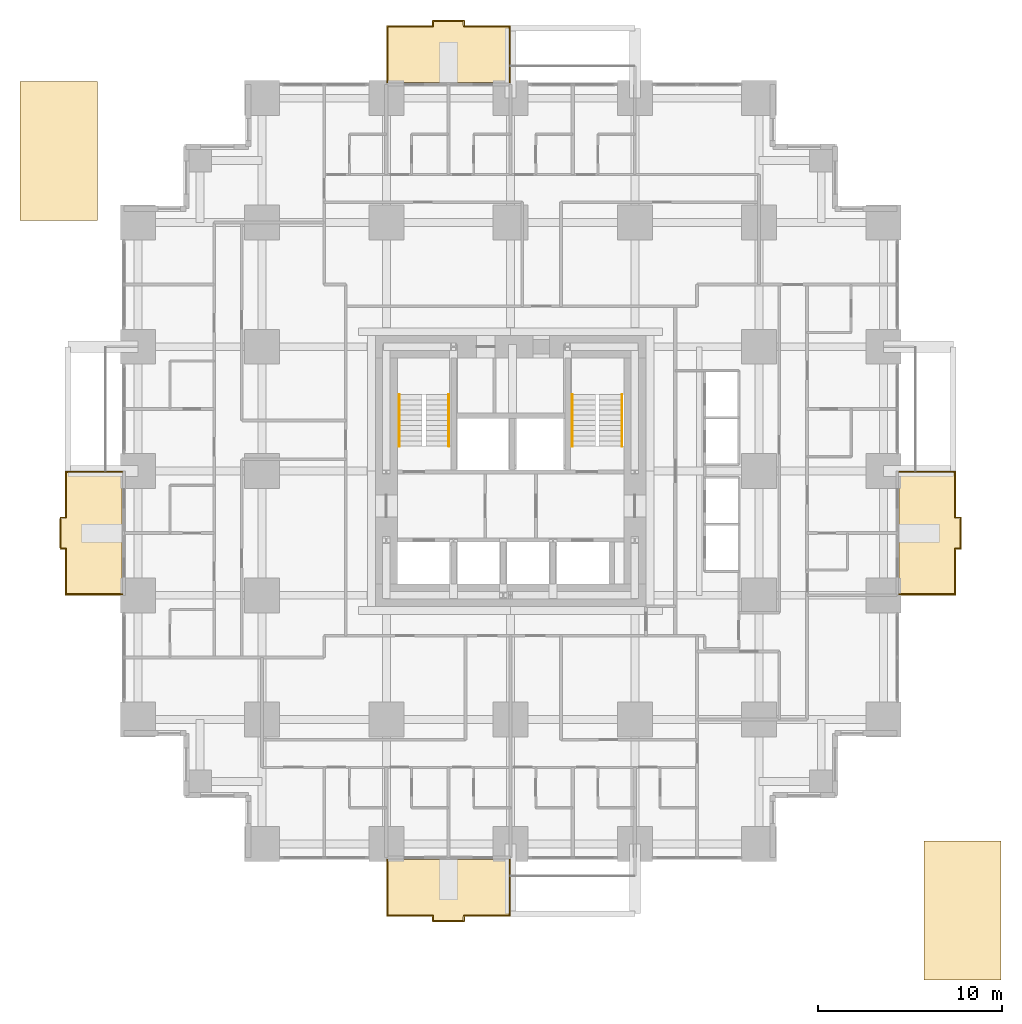
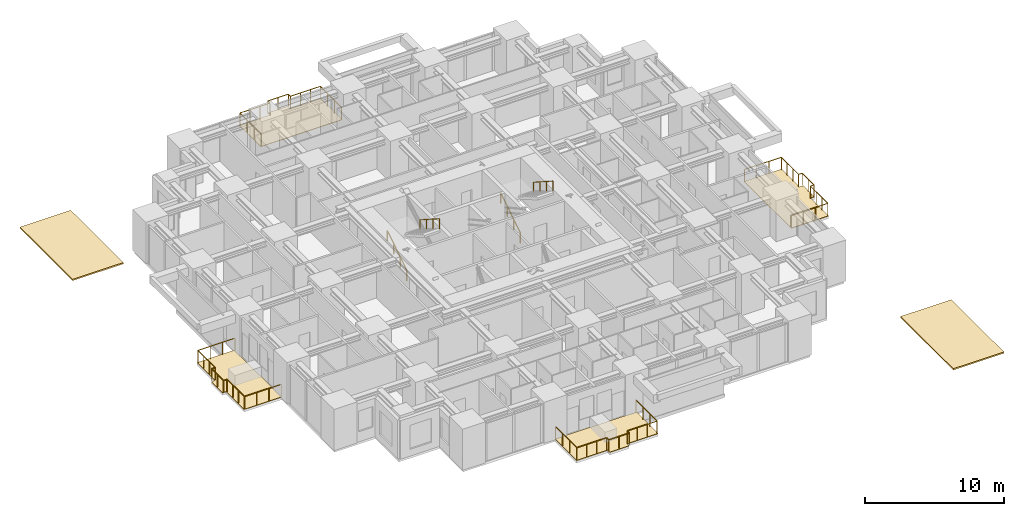
# One storey, part 14 of 14: 8 railings, 6 coverings.
"""IFC4 building model written with IfcOpenShell, lengths in metres."""

from ifc_helpers import new_model, si_unit, direction, frame, origin, origin_2d, place, context, subcontext, project, spatial, polyline, rectangle, outline, extrude, material, layer, layer_set, type_object, element, save


model = new_model("IFC4")

# Units and contexts
model_context = context("Model", 3, precision=1e-05, world=origin(), true_north=direction((0.0, 1.0)))
body_context = subcontext(model_context, "Body", "Model", "MODEL_VIEW")
ifc_project = project(units=[si_unit("LENGTHUNIT", "METRE"), si_unit("AREAUNIT", "SQUARE_METRE"), si_unit("VOLUMEUNIT", "CUBIC_METRE"), si_unit("PLANEANGLEUNIT", "RADIAN"), si_unit("MASSUNIT", "GRAM", prefix="KILO")], contexts=[model_context])

# Site, building, storey
site_placement = place(None, origin())
site = spatial("IfcSite", under=ifc_project, at=site_placement, CompositionType="ELEMENT")
building_placement = place(site_placement, origin())
building = spatial("IfcBuilding", under=site, at=building_placement, Name="Nyansa Garden Tower", CompositionType="ELEMENT")
storey_placement = place(building_placement, frame((0.0, 0.0, 18.0)))
storey = spatial("IfcBuildingStorey", under=building, at=storey_placement, Name="L04", CompositionType="ELEMENT", Elevation=18.0)

# Coverings
ifc_material_1 = material(Name="Hardwood decking on pedestals", Category="wood")
ifc_layer_1 = layer(ifc_material_1, 0.0400390625)
ifc_layer_set_1 = layer_set([ifc_layer_1], Name="Balcony decking DK40")
covering_type_1 = type_object("IfcCoveringType", Name="Balcony decking DK40", PredefinedType="FLOORING", material=ifc_layer_set_1)
covering_1_placement = place(storey_placement, frame((0.0, 0.0, -0.0400390625)))
element("IfcCovering", 1, at=covering_1_placement, inside=storey, type_object=covering_type_1, Name="Balcony decking L04", PredefinedType="FLOORING", context=body_context, shape_type="SweptSolid", body=[
    extrude(outline(polyline([(13.5, -0.85009765625), (20.25, -0.85009765625), (20.25, -3.949951171875), (17.675048828125, -3.949951171875), (17.675048828125, -4.25), (16.074951171875, -4.25), (16.074951171875, -3.949951171875), (13.5, -3.949951171875), (13.5, -0.85009765625)])), origin(), (0.0, 0.0, 1.0), 0.0400390625),
])
covering_2_placement = place(storey_placement, frame((0.0, 0.0, -0.0400390625)))
element("IfcCovering", 2, at=covering_2_placement, inside=storey, type_object=covering_type_1, Name="Balcony decking L04", PredefinedType="FLOORING", context=body_context, shape_type="SweptSolid", body=[
    extrude(outline(polyline([(41.35009765625, 13.5), (41.35009765625, 20.25), (44.449951171875, 20.25), (44.449951171875, 17.675048828125), (44.75, 17.675048828125), (44.75, 16.074951171875), (44.449951171875, 16.074951171875), (44.449951171875, 13.5), (41.35009765625, 13.5)])), origin(), (0.0, 0.0, 1.0), 0.0400390625),
])
covering_3_placement = place(storey_placement, frame((0.0, 0.0, -0.0400390625)))
element("IfcCovering", 3, at=covering_3_placement, inside=storey, type_object=covering_type_1, Name="Balcony decking L04", PredefinedType="FLOORING", context=body_context, shape_type="SweptSolid", body=[
    extrude(outline(polyline([(13.5, 41.35009765625), (20.25, 41.35009765625), (20.25, 44.449951171875), (17.675048828125, 44.449951171875), (17.675048828125, 44.75), (16.074951171875, 44.75), (16.074951171875, 44.449951171875), (13.5, 44.449951171875), (13.5, 41.35009765625)])), origin(), (0.0, 0.0, 1.0), 0.0400390625),
])
covering_4_placement = place(storey_placement, frame((0.0, 0.0, -0.0400390625)))
element("IfcCovering", 4, at=covering_4_placement, inside=storey, type_object=covering_type_1, Name="Balcony decking L04", PredefinedType="FLOORING", context=body_context, shape_type="SweptSolid", body=[
    extrude(outline(polyline([(-0.85009765625, 13.5), (-0.85009765625, 20.25), (-3.949951171875, 20.25), (-3.949951171875, 17.675048828125), (-4.25, 17.675048828125), (-4.25, 16.074951171875), (-3.949951171875, 16.074951171875), (-3.949951171875, 13.5), (-0.85009765625, 13.5)])), origin(), (0.0, 0.0, 1.0), 0.0400390625),
])

# Railings
ifc_material_2 = material(Name="Black powder-coated steel balusters, laminated glass infill", Category="steel")
railing_type_1 = type_object("IfcRailingType", Name="Balcony guard G1", PredefinedType="GUARDRAIL", material=ifc_material_2)
railing_1_placement = place(storey_placement, frame((13.550048828125, -0.85009765625, 0.0)))
element("IfcRailing", 5, at=railing_1_placement, inside=storey, type_object=railing_type_1, Name="Balcony guard L04", PredefinedType="GUARDRAIL", context=body_context, shape_type="SweptSolid", body=[
    extrude(rectangle(XDim=0.048095703125, YDim=0.048095703125, at=origin_2d()), frame((0.0, 0.0, 1.076171875), z_axis=(0.0, -1.0, 0.0), x_axis=(1.0, 0.0, 0.0)), (0.0, 0.0, 1.0), 3.0498046875),
    extrude(rectangle(XDim=0.048095703125, YDim=0.048095703125, at=origin_2d()), frame((0.0, -3.0498046875, 1.076171875), z_axis=(1.0, 0.0, 0.0), x_axis=(0.0, 1.0, 0.0)), (0.0, 0.0, 1.0), 2.474853515625),
    extrude(rectangle(XDim=0.048095703125, YDim=0.048095703125, at=origin_2d()), frame((2.474853515625, -3.0498046875, 1.076171875), z_axis=(0.0, -1.0, 0.0), x_axis=(1.0, 0.0, 0.0)), (0.0, 0.0, 1.0), 0.300048828125),
    extrude(rectangle(XDim=0.048095703125, YDim=0.048095703125, at=origin_2d()), frame((2.474853515625, -3.349853515625, 1.076171875), z_axis=(1.0, 0.0, 0.0), x_axis=(0.0, 1.0, 0.0)), (0.0, 0.0, 1.0), 1.7001953125),
    extrude(rectangle(XDim=0.048095703125, YDim=0.048095703125, at=origin_2d()), frame((4.175048828125, -3.349853515625, 1.076171875), z_axis=(0.0, 1.0, 0.0), x_axis=(-1.0, 0.0, 0.0)), (0.0, 0.0, 1.0), 0.300048828125),
    extrude(rectangle(XDim=0.048095703125, YDim=0.048095703125, at=origin_2d()), frame((4.175048828125, -3.0498046875, 1.076171875), z_axis=(1.0, 0.0, 0.0), x_axis=(0.0, 1.0, 0.0)), (0.0, 0.0, 1.0), 2.474853515625),
    extrude(rectangle(XDim=0.048095703125, YDim=0.048095703125, at=origin_2d()), frame((6.64990234375, -3.0498046875, 1.076171875), z_axis=(0.0, 1.0, 0.0), x_axis=(-1.0, 0.0, 0.0)), (0.0, 0.0, 1.0), 3.0498046875),
    extrude(rectangle(XDim=0.0419921875, YDim=0.0419921875, at=origin_2d()), origin(), (0.0, 0.0, 1.0), 1.052001953125),
    extrude(rectangle(XDim=0.0419921875, YDim=0.0419921875, at=origin_2d()), frame((0.0, -1.0166015625, 0.0)), (0.0, 0.0, 1.0), 1.052001953125),
    extrude(rectangle(XDim=0.0419921875, YDim=0.0419921875, at=origin_2d()), frame((0.0, -2.033203125, 0.0)), (0.0, 0.0, 1.0), 1.052001953125),
    extrude(rectangle(XDim=0.0419921875, YDim=0.0419921875, at=origin_2d()), frame((0.0, -3.0498046875, 0.0)), (0.0, 0.0, 1.0), 1.052001953125),
    extrude(rectangle(XDim=0.0419921875, YDim=0.0419921875, at=origin_2d()), frame((0.824951171875, -3.0498046875, 0.0)), (0.0, 0.0, 1.0), 1.052001953125),
    extrude(rectangle(XDim=0.0419921875, YDim=0.0419921875, at=origin_2d()), frame((1.64990234375, -3.0498046875, 0.0)), (0.0, 0.0, 1.0), 1.052001953125),
    extrude(rectangle(XDim=0.0419921875, YDim=0.0419921875, at=origin_2d()), frame((2.474853515625, -3.0498046875, 0.0)), (0.0, 0.0, 1.0), 1.052001953125),
    extrude(rectangle(XDim=0.0419921875, YDim=0.0419921875, at=origin_2d()), frame((2.474853515625, -3.349853515625, 0.0)), (0.0, 0.0, 1.0), 1.052001953125),
    extrude(rectangle(XDim=0.0419921875, YDim=0.0419921875, at=origin_2d()), frame((3.324951171875, -3.349853515625, 0.0)), (0.0, 0.0, 1.0), 1.052001953125),
    extrude(rectangle(XDim=0.0419921875, YDim=0.0419921875, at=origin_2d()), frame((4.175048828125, -3.349853515625, 0.0)), (0.0, 0.0, 1.0), 1.052001953125),
    extrude(rectangle(XDim=0.0419921875, YDim=0.0419921875, at=origin_2d()), frame((4.175048828125, -3.0498046875, 0.0)), (0.0, 0.0, 1.0), 1.052001953125),
    extrude(rectangle(XDim=0.0419921875, YDim=0.0419921875, at=origin_2d()), frame((5.0, -3.0498046875, 0.0)), (0.0, 0.0, 1.0), 1.052001953125),
    extrude(rectangle(XDim=0.0419921875, YDim=0.0419921875, at=origin_2d()), frame((5.824951171875, -3.0498046875, 0.0)), (0.0, 0.0, 1.0), 1.052001953125),
    extrude(rectangle(XDim=0.0419921875, YDim=0.0419921875, at=origin_2d()), frame((6.64990234375, -3.0498046875, 0.0)), (0.0, 0.0, 1.0), 1.052001953125),
    extrude(rectangle(XDim=0.0419921875, YDim=0.0419921875, at=origin_2d()), frame((6.64990234375, -2.033203125, 0.0)), (0.0, 0.0, 1.0), 1.052001953125),
    extrude(rectangle(XDim=0.0419921875, YDim=0.0419921875, at=origin_2d()), frame((6.64990234375, -1.0166015625, 0.0)), (0.0, 0.0, 1.0), 1.052001953125),
    extrude(rectangle(XDim=0.0419921875, YDim=0.0419921875, at=origin_2d()), frame((6.64990234375, 0.0, 0.0)), (0.0, 0.0, 1.0), 1.052001953125),
])
railing_2_placement = place(storey_placement, frame((41.35009765625, 13.550048828125, 0.0)))
element("IfcRailing", 6, at=railing_2_placement, inside=storey, type_object=railing_type_1, Name="Balcony guard L04", PredefinedType="GUARDRAIL", context=body_context, shape_type="SweptSolid", body=[
    extrude(rectangle(XDim=0.048095703125, YDim=0.048095703125, at=origin_2d()), frame((0.0, 0.0, 1.076171875), z_axis=(1.0, 0.0, 0.0), x_axis=(0.0, 1.0, 0.0)), (0.0, 0.0, 1.0), 3.0498046875),
    extrude(rectangle(XDim=0.048095703125, YDim=0.048095703125, at=origin_2d()), frame((3.0498046875, 0.0, 1.076171875), z_axis=(0.0, 1.0, 0.0), x_axis=(-1.0, 0.0, 0.0)), (0.0, 0.0, 1.0), 2.474853515625),
    extrude(rectangle(XDim=0.048095703125, YDim=0.048095703125, at=origin_2d()), frame((3.0498046875, 2.474853515625, 1.076171875), z_axis=(1.0, 0.0, 0.0), x_axis=(0.0, 1.0, 0.0)), (0.0, 0.0, 1.0), 0.300048828125),
    extrude(rectangle(XDim=0.048095703125, YDim=0.048095703125, at=origin_2d()), frame((3.349853515625, 2.474853515625, 1.076171875), z_axis=(0.0, 1.0, 0.0), x_axis=(-1.0, 0.0, 0.0)), (0.0, 0.0, 1.0), 1.7001953125),
    extrude(rectangle(XDim=0.048095703125, YDim=0.048095703125, at=origin_2d()), frame((3.349853515625, 4.175048828125, 1.076171875), z_axis=(-1.0, 0.0, 0.0), x_axis=(0.0, -1.0, 0.0)), (0.0, 0.0, 1.0), 0.300048828125),
    extrude(rectangle(XDim=0.048095703125, YDim=0.048095703125, at=origin_2d()), frame((3.0498046875, 4.175048828125, 1.076171875), z_axis=(0.0, 1.0, 0.0), x_axis=(-1.0, 0.0, 0.0)), (0.0, 0.0, 1.0), 2.474853515625),
    extrude(rectangle(XDim=0.048095703125, YDim=0.048095703125, at=origin_2d()), frame((3.0498046875, 6.64990234375, 1.076171875), z_axis=(-1.0, 0.0, 0.0), x_axis=(0.0, -1.0, 0.0)), (0.0, 0.0, 1.0), 3.0498046875),
    extrude(rectangle(XDim=0.0419921875, YDim=0.0419921875, at=origin_2d()), origin(), (0.0, 0.0, 1.0), 1.052001953125),
    extrude(rectangle(XDim=0.0419921875, YDim=0.0419921875, at=origin_2d()), frame((1.0166015625, 0.0, 0.0)), (0.0, 0.0, 1.0), 1.052001953125),
    extrude(rectangle(XDim=0.0419921875, YDim=0.0419921875, at=origin_2d()), frame((2.033203125, 0.0, 0.0)), (0.0, 0.0, 1.0), 1.052001953125),
    extrude(rectangle(XDim=0.0419921875, YDim=0.0419921875, at=origin_2d()), frame((3.0498046875, 0.0, 0.0)), (0.0, 0.0, 1.0), 1.052001953125),
    extrude(rectangle(XDim=0.0419921875, YDim=0.0419921875, at=origin_2d()), frame((3.0498046875, 0.824951171875, 0.0)), (0.0, 0.0, 1.0), 1.052001953125),
    extrude(rectangle(XDim=0.0419921875, YDim=0.0419921875, at=origin_2d()), frame((3.0498046875, 1.64990234375, 0.0)), (0.0, 0.0, 1.0), 1.052001953125),
    extrude(rectangle(XDim=0.0419921875, YDim=0.0419921875, at=origin_2d()), frame((3.0498046875, 2.474853515625, 0.0)), (0.0, 0.0, 1.0), 1.052001953125),
    extrude(rectangle(XDim=0.0419921875, YDim=0.0419921875, at=origin_2d()), frame((3.349853515625, 2.474853515625, 0.0)), (0.0, 0.0, 1.0), 1.052001953125),
    extrude(rectangle(XDim=0.0419921875, YDim=0.0419921875, at=origin_2d()), frame((3.349853515625, 3.324951171875, 0.0)), (0.0, 0.0, 1.0), 1.052001953125),
    extrude(rectangle(XDim=0.0419921875, YDim=0.0419921875, at=origin_2d()), frame((3.349853515625, 4.175048828125, 0.0)), (0.0, 0.0, 1.0), 1.052001953125),
    extrude(rectangle(XDim=0.0419921875, YDim=0.0419921875, at=origin_2d()), frame((3.0498046875, 4.175048828125, 0.0)), (0.0, 0.0, 1.0), 1.052001953125),
    extrude(rectangle(XDim=0.0419921875, YDim=0.0419921875, at=origin_2d()), frame((3.0498046875, 5.0, 0.0)), (0.0, 0.0, 1.0), 1.052001953125),
    extrude(rectangle(XDim=0.0419921875, YDim=0.0419921875, at=origin_2d()), frame((3.0498046875, 5.824951171875, 0.0)), (0.0, 0.0, 1.0), 1.052001953125),
    extrude(rectangle(XDim=0.0419921875, YDim=0.0419921875, at=origin_2d()), frame((3.0498046875, 6.64990234375, 0.0)), (0.0, 0.0, 1.0), 1.052001953125),
    extrude(rectangle(XDim=0.0419921875, YDim=0.0419921875, at=origin_2d()), frame((2.033203125, 6.64990234375, 0.0)), (0.0, 0.0, 1.0), 1.052001953125),
    extrude(rectangle(XDim=0.0419921875, YDim=0.0419921875, at=origin_2d()), frame((1.0166015625, 6.64990234375, 0.0)), (0.0, 0.0, 1.0), 1.052001953125),
    extrude(rectangle(XDim=0.0419921875, YDim=0.0419921875, at=origin_2d()), frame((0.0, 6.64990234375, 0.0)), (0.0, 0.0, 1.0), 1.052001953125),
])
railing_3_placement = place(storey_placement, frame((13.550048828125, 41.35009765625, 0.0)))
element("IfcRailing", 7, at=railing_3_placement, inside=storey, type_object=railing_type_1, Name="Balcony guard L04", PredefinedType="GUARDRAIL", context=body_context, shape_type="SweptSolid", body=[
    extrude(rectangle(XDim=0.048095703125, YDim=0.048095703125, at=origin_2d()), frame((0.0, 0.0, 1.076171875), z_axis=(0.0, 1.0, 0.0), x_axis=(-1.0, 0.0, 0.0)), (0.0, 0.0, 1.0), 3.0498046875),
    extrude(rectangle(XDim=0.048095703125, YDim=0.048095703125, at=origin_2d()), frame((0.0, 3.0498046875, 1.076171875), z_axis=(1.0, 0.0, 0.0), x_axis=(0.0, 1.0, 0.0)), (0.0, 0.0, 1.0), 2.474853515625),
    extrude(rectangle(XDim=0.048095703125, YDim=0.048095703125, at=origin_2d()), frame((2.474853515625, 3.0498046875, 1.076171875), z_axis=(0.0, 1.0, 0.0), x_axis=(-1.0, 0.0, 0.0)), (0.0, 0.0, 1.0), 0.300048828125),
    extrude(rectangle(XDim=0.048095703125, YDim=0.048095703125, at=origin_2d()), frame((2.474853515625, 3.349853515625, 1.076171875), z_axis=(1.0, 0.0, 0.0), x_axis=(0.0, 1.0, 0.0)), (0.0, 0.0, 1.0), 1.7001953125),
    extrude(rectangle(XDim=0.048095703125, YDim=0.048095703125, at=origin_2d()), frame((4.175048828125, 3.349853515625, 1.076171875), z_axis=(0.0, -1.0, 0.0), x_axis=(1.0, 0.0, 0.0)), (0.0, 0.0, 1.0), 0.300048828125),
    extrude(rectangle(XDim=0.048095703125, YDim=0.048095703125, at=origin_2d()), frame((4.175048828125, 3.0498046875, 1.076171875), z_axis=(1.0, 0.0, 0.0), x_axis=(0.0, 1.0, 0.0)), (0.0, 0.0, 1.0), 2.474853515625),
    extrude(rectangle(XDim=0.048095703125, YDim=0.048095703125, at=origin_2d()), frame((6.64990234375, 3.0498046875, 1.076171875), z_axis=(0.0, -1.0, 0.0), x_axis=(1.0, 0.0, 0.0)), (0.0, 0.0, 1.0), 3.0498046875),
    extrude(rectangle(XDim=0.0419921875, YDim=0.0419921875, at=origin_2d()), origin(), (0.0, 0.0, 1.0), 1.052001953125),
    extrude(rectangle(XDim=0.0419921875, YDim=0.0419921875, at=origin_2d()), frame((0.0, 1.0166015625, 0.0)), (0.0, 0.0, 1.0), 1.052001953125),
    extrude(rectangle(XDim=0.0419921875, YDim=0.0419921875, at=origin_2d()), frame((0.0, 2.033203125, 0.0)), (0.0, 0.0, 1.0), 1.052001953125),
    extrude(rectangle(XDim=0.0419921875, YDim=0.0419921875, at=origin_2d()), frame((0.0, 3.0498046875, 0.0)), (0.0, 0.0, 1.0), 1.052001953125),
    extrude(rectangle(XDim=0.0419921875, YDim=0.0419921875, at=origin_2d()), frame((0.824951171875, 3.0498046875, 0.0)), (0.0, 0.0, 1.0), 1.052001953125),
    extrude(rectangle(XDim=0.0419921875, YDim=0.0419921875, at=origin_2d()), frame((1.64990234375, 3.0498046875, 0.0)), (0.0, 0.0, 1.0), 1.052001953125),
    extrude(rectangle(XDim=0.0419921875, YDim=0.0419921875, at=origin_2d()), frame((2.474853515625, 3.0498046875, 0.0)), (0.0, 0.0, 1.0), 1.052001953125),
    extrude(rectangle(XDim=0.0419921875, YDim=0.0419921875, at=origin_2d()), frame((2.474853515625, 3.349853515625, 0.0)), (0.0, 0.0, 1.0), 1.052001953125),
    extrude(rectangle(XDim=0.0419921875, YDim=0.0419921875, at=origin_2d()), frame((3.324951171875, 3.349853515625, 0.0)), (0.0, 0.0, 1.0), 1.052001953125),
    extrude(rectangle(XDim=0.0419921875, YDim=0.0419921875, at=origin_2d()), frame((4.175048828125, 3.349853515625, 0.0)), (0.0, 0.0, 1.0), 1.052001953125),
    extrude(rectangle(XDim=0.0419921875, YDim=0.0419921875, at=origin_2d()), frame((4.175048828125, 3.0498046875, 0.0)), (0.0, 0.0, 1.0), 1.052001953125),
    extrude(rectangle(XDim=0.0419921875, YDim=0.0419921875, at=origin_2d()), frame((5.0, 3.0498046875, 0.0)), (0.0, 0.0, 1.0), 1.052001953125),
    extrude(rectangle(XDim=0.0419921875, YDim=0.0419921875, at=origin_2d()), frame((5.824951171875, 3.0498046875, 0.0)), (0.0, 0.0, 1.0), 1.052001953125),
    extrude(rectangle(XDim=0.0419921875, YDim=0.0419921875, at=origin_2d()), frame((6.64990234375, 3.0498046875, 0.0)), (0.0, 0.0, 1.0), 1.052001953125),
    extrude(rectangle(XDim=0.0419921875, YDim=0.0419921875, at=origin_2d()), frame((6.64990234375, 2.033203125, 0.0)), (0.0, 0.0, 1.0), 1.052001953125),
    extrude(rectangle(XDim=0.0419921875, YDim=0.0419921875, at=origin_2d()), frame((6.64990234375, 1.0166015625, 0.0)), (0.0, 0.0, 1.0), 1.052001953125),
    extrude(rectangle(XDim=0.0419921875, YDim=0.0419921875, at=origin_2d()), frame((6.64990234375, 0.0, 0.0)), (0.0, 0.0, 1.0), 1.052001953125),
])
railing_4_placement = place(storey_placement, frame((-0.85009765625, 13.550048828125, 0.0)))
element("IfcRailing", 8, at=railing_4_placement, inside=storey, type_object=railing_type_1, Name="Balcony guard L04", PredefinedType="GUARDRAIL", context=body_context, shape_type="SweptSolid", body=[
    extrude(rectangle(XDim=0.048095703125, YDim=0.048095703125, at=origin_2d()), frame((0.0, 0.0, 1.076171875), z_axis=(-1.0, 0.0, 0.0), x_axis=(0.0, -1.0, 0.0)), (0.0, 0.0, 1.0), 3.0498046875),
    extrude(rectangle(XDim=0.048095703125, YDim=0.048095703125, at=origin_2d()), frame((-3.0498046875, 0.0, 1.076171875), z_axis=(0.0, 1.0, 0.0), x_axis=(-1.0, 0.0, 0.0)), (0.0, 0.0, 1.0), 2.474853515625),
    extrude(rectangle(XDim=0.048095703125, YDim=0.048095703125, at=origin_2d()), frame((-3.0498046875, 2.474853515625, 1.076171875), z_axis=(-1.0, 0.0, 0.0), x_axis=(0.0, -1.0, 0.0)), (0.0, 0.0, 1.0), 0.300048828125),
    extrude(rectangle(XDim=0.048095703125, YDim=0.048095703125, at=origin_2d()), frame((-3.349853515625, 2.474853515625, 1.076171875), z_axis=(0.0, 1.0, 0.0), x_axis=(-1.0, 0.0, 0.0)), (0.0, 0.0, 1.0), 1.7001953125),
    extrude(rectangle(XDim=0.048095703125, YDim=0.048095703125, at=origin_2d()), frame((-3.349853515625, 4.175048828125, 1.076171875), z_axis=(1.0, 0.0, 0.0), x_axis=(0.0, 1.0, 0.0)), (0.0, 0.0, 1.0), 0.300048828125),
    extrude(rectangle(XDim=0.048095703125, YDim=0.048095703125, at=origin_2d()), frame((-3.0498046875, 4.175048828125, 1.076171875), z_axis=(0.0, 1.0, 0.0), x_axis=(-1.0, 0.0, 0.0)), (0.0, 0.0, 1.0), 2.474853515625),
    extrude(rectangle(XDim=0.048095703125, YDim=0.048095703125, at=origin_2d()), frame((-3.0498046875, 6.64990234375, 1.076171875), z_axis=(1.0, 0.0, 0.0), x_axis=(0.0, 1.0, 0.0)), (0.0, 0.0, 1.0), 3.0498046875),
    extrude(rectangle(XDim=0.0419921875, YDim=0.0419921875, at=origin_2d()), origin(), (0.0, 0.0, 1.0), 1.052001953125),
    extrude(rectangle(XDim=0.0419921875, YDim=0.0419921875, at=origin_2d()), frame((-1.0166015625, 0.0, 0.0)), (0.0, 0.0, 1.0), 1.052001953125),
    extrude(rectangle(XDim=0.0419921875, YDim=0.0419921875, at=origin_2d()), frame((-2.033203125, 0.0, 0.0)), (0.0, 0.0, 1.0), 1.052001953125),
    extrude(rectangle(XDim=0.0419921875, YDim=0.0419921875, at=origin_2d()), frame((-3.0498046875, 0.0, 0.0)), (0.0, 0.0, 1.0), 1.052001953125),
    extrude(rectangle(XDim=0.0419921875, YDim=0.0419921875, at=origin_2d()), frame((-3.0498046875, 0.824951171875, 0.0)), (0.0, 0.0, 1.0), 1.052001953125),
    extrude(rectangle(XDim=0.0419921875, YDim=0.0419921875, at=origin_2d()), frame((-3.0498046875, 1.64990234375, 0.0)), (0.0, 0.0, 1.0), 1.052001953125),
    extrude(rectangle(XDim=0.0419921875, YDim=0.0419921875, at=origin_2d()), frame((-3.0498046875, 2.474853515625, 0.0)), (0.0, 0.0, 1.0), 1.052001953125),
    extrude(rectangle(XDim=0.0419921875, YDim=0.0419921875, at=origin_2d()), frame((-3.349853515625, 2.474853515625, 0.0)), (0.0, 0.0, 1.0), 1.052001953125),
    extrude(rectangle(XDim=0.0419921875, YDim=0.0419921875, at=origin_2d()), frame((-3.349853515625, 3.324951171875, 0.0)), (0.0, 0.0, 1.0), 1.052001953125),
    extrude(rectangle(XDim=0.0419921875, YDim=0.0419921875, at=origin_2d()), frame((-3.349853515625, 4.175048828125, 0.0)), (0.0, 0.0, 1.0), 1.052001953125),
    extrude(rectangle(XDim=0.0419921875, YDim=0.0419921875, at=origin_2d()), frame((-3.0498046875, 4.175048828125, 0.0)), (0.0, 0.0, 1.0), 1.052001953125),
    extrude(rectangle(XDim=0.0419921875, YDim=0.0419921875, at=origin_2d()), frame((-3.0498046875, 5.0, 0.0)), (0.0, 0.0, 1.0), 1.052001953125),
    extrude(rectangle(XDim=0.0419921875, YDim=0.0419921875, at=origin_2d()), frame((-3.0498046875, 5.824951171875, 0.0)), (0.0, 0.0, 1.0), 1.052001953125),
    extrude(rectangle(XDim=0.0419921875, YDim=0.0419921875, at=origin_2d()), frame((-3.0498046875, 6.64990234375, 0.0)), (0.0, 0.0, 1.0), 1.052001953125),
    extrude(rectangle(XDim=0.0419921875, YDim=0.0419921875, at=origin_2d()), frame((-2.033203125, 6.64990234375, 0.0)), (0.0, 0.0, 1.0), 1.052001953125),
    extrude(rectangle(XDim=0.0419921875, YDim=0.0419921875, at=origin_2d()), frame((-1.0166015625, 6.64990234375, 0.0)), (0.0, 0.0, 1.0), 1.052001953125),
    extrude(rectangle(XDim=0.0419921875, YDim=0.0419921875, at=origin_2d()), frame((0.0, 6.64990234375, 0.0)), (0.0, 0.0, 1.0), 1.052001953125),
])
ifc_material_3 = material(Name="Black powder-coated steel tube 48 mm", Category="steel")
railing_type_2 = type_object("IfcRailingType", Name="Stair handrail HR1", PredefinedType="HANDRAIL", material=ifc_material_3)
railing_5_placement = place(storey_placement, frame((14.199951171875, 21.60009765625, 0.0)))
element("IfcRailing", 9, at=railing_5_placement, inside=storey, type_object=railing_type_2, Name="Stair S1 handrail L04", PredefinedType="HANDRAIL", context=body_context, shape_type="SweptSolid", body=[
    extrude(rectangle(XDim=0.048095703125, YDim=0.048095703125, at=origin_2d()), frame((0.0, 0.0, 0.8759765625), z_axis=(0.0, 0.841154643086, 0.54079466197), x_axis=(-1.0, 0.0, 0.0)), (0.0, 0.0, 1.0), 3.32861328125),
    extrude(rectangle(XDim=0.0419921875, YDim=0.0419921875, at=origin_2d()), origin(), (0.0, 0.0, 1.0), 0.851806640625),
    extrude(rectangle(XDim=0.0419921875, YDim=0.0419921875, at=origin_2d()), frame((0.0, 0.933349609375, 0.60009765625)), (0.0, 0.0, 1.0), 0.851806640625),
    extrude(rectangle(XDim=0.0419921875, YDim=0.0419921875, at=origin_2d()), frame((0.0, 1.866455078125, 1.199951171875)), (0.0, 0.0, 1.0), 0.851806640625),
    extrude(rectangle(XDim=0.0419921875, YDim=0.0419921875, at=origin_2d()), frame((0.0, 2.7998046875, 1.800048828125)), (0.0, 0.0, 1.0), 0.851806640625),
])
railing_6_placement = place(storey_placement, frame((16.89990234375, 24.39990234375, 1.800048828125)))
element("IfcRailing", 10, at=railing_6_placement, inside=storey, type_object=railing_type_2, Name="Stair S1 handrail L04", PredefinedType="HANDRAIL", context=body_context, shape_type="SweptSolid", body=[
    extrude(rectangle(XDim=0.048095703125, YDim=0.048095703125, at=origin_2d()), frame((0.0, 0.0, 0.8759765625), z_axis=(0.0, -0.841154643086, 0.54079466197), x_axis=(1.0, 0.0, 0.0)), (0.0, 0.0, 1.0), 3.32861328125),
    extrude(rectangle(XDim=0.0419921875, YDim=0.0419921875, at=origin_2d()), origin(), (0.0, 0.0, 1.0), 0.851806640625),
    extrude(rectangle(XDim=0.0419921875, YDim=0.0419921875, at=origin_2d()), frame((0.0, -0.933349609375, 0.60009765625)), (0.0, 0.0, 1.0), 0.851806640625),
    extrude(rectangle(XDim=0.0419921875, YDim=0.0419921875, at=origin_2d()), frame((0.0, -1.866455078125, 1.199951171875)), (0.0, 0.0, 1.0), 0.851806640625),
    extrude(rectangle(XDim=0.0419921875, YDim=0.0419921875, at=origin_2d()), frame((0.0, -2.7998046875, 1.800048828125)), (0.0, 0.0, 1.0), 0.851806640625),
])
railing_7_placement = place(storey_placement, frame((23.60009765625, 21.60009765625, 0.0)))
element("IfcRailing", 11, at=railing_7_placement, inside=storey, type_object=railing_type_2, Name="Stair S2 handrail L04", PredefinedType="HANDRAIL", context=body_context, shape_type="SweptSolid", body=[
    extrude(rectangle(XDim=0.048095703125, YDim=0.048095703125, at=origin_2d()), frame((0.0, 0.0, 0.8759765625), z_axis=(0.0, 0.841154643086, 0.54079466197), x_axis=(-1.0, 0.0, 0.0)), (0.0, 0.0, 1.0), 3.32861328125),
    extrude(rectangle(XDim=0.0419921875, YDim=0.0419921875, at=origin_2d()), origin(), (0.0, 0.0, 1.0), 0.851806640625),
    extrude(rectangle(XDim=0.0419921875, YDim=0.0419921875, at=origin_2d()), frame((0.0, 0.933349609375, 0.60009765625)), (0.0, 0.0, 1.0), 0.851806640625),
    extrude(rectangle(XDim=0.0419921875, YDim=0.0419921875, at=origin_2d()), frame((0.0, 1.866455078125, 1.199951171875)), (0.0, 0.0, 1.0), 0.851806640625),
    extrude(rectangle(XDim=0.0419921875, YDim=0.0419921875, at=origin_2d()), frame((0.0, 2.7998046875, 1.800048828125)), (0.0, 0.0, 1.0), 0.851806640625),
])
railing_8_placement = place(storey_placement, frame((26.300048828125, 24.39990234375, 1.800048828125)))
element("IfcRailing", 12, at=railing_8_placement, inside=storey, type_object=railing_type_2, Name="Stair S2 handrail L04", PredefinedType="HANDRAIL", context=body_context, shape_type="SweptSolid", body=[
    extrude(rectangle(XDim=0.048095703125, YDim=0.048095703125, at=origin_2d()), frame((0.0, 0.0, 0.8759765625), z_axis=(0.0, -0.841154643086, 0.54079466197), x_axis=(1.0, 0.0, 0.0)), (0.0, 0.0, 1.0), 3.32861328125),
    extrude(rectangle(XDim=0.0419921875, YDim=0.0419921875, at=origin_2d()), origin(), (0.0, 0.0, 1.0), 0.851806640625),
    extrude(rectangle(XDim=0.0419921875, YDim=0.0419921875, at=origin_2d()), frame((0.0, -0.933349609375, 0.60009765625)), (0.0, 0.0, 1.0), 0.851806640625),
    extrude(rectangle(XDim=0.0419921875, YDim=0.0419921875, at=origin_2d()), frame((0.0, -1.866455078125, 1.199951171875)), (0.0, 0.0, 1.0), 0.851806640625),
    extrude(rectangle(XDim=0.0419921875, YDim=0.0419921875, at=origin_2d()), frame((0.0, -2.7998046875, 1.800048828125)), (0.0, 0.0, 1.0), 0.851806640625),
])

# Coverings
ifc_material_4 = material(Name="Insulated standing-seam metal roof deck on light steel purlins", Category="steel")
ifc_layer_2 = layer(ifc_material_4, 0.1201171875)
ifc_layer_set_2 = layer_set([ifc_layer_2], Name="Stair head-house roof RD120")
covering_type_2 = type_object("IfcCoveringType", Name="Stair head-house roof RD120", PredefinedType="ROOFING", material=ifc_layer_set_2)
covering_5_placement = place(storey_placement, frame((0.0, 0.0, -0.22509765625)))
element("IfcCovering", 13, at=covering_5_placement, inside=storey, type_object=covering_type_2, Name="Stair S3 head-house roof", PredefinedType="ROOFING", context=body_context, shape_type="SweptSolid", body=[
    extrude(outline(polyline([(-6.39990234375, 33.85009765625), (-2.199951171875, 33.85009765625), (-2.199951171875, 41.39990234375), (-6.39990234375, 41.39990234375), (-6.39990234375, 33.85009765625)])), origin(), (0.0, 0.0, 1.0), 0.1201171875),
])
covering_6_placement = place(storey_placement, frame((0.0, 0.0, -0.22509765625)))
element("IfcCovering", 14, at=covering_6_placement, inside=storey, type_object=covering_type_2, Name="Stair S4 head-house roof", PredefinedType="ROOFING", context=body_context, shape_type="SweptSolid", body=[
    extrude(outline(polyline([(42.699951171875, -7.39990234375), (46.89990234375, -7.39990234375), (46.89990234375, 0.14990234375), (42.699951171875, 0.14990234375), (42.699951171875, -7.39990234375)])), origin(), (0.0, 0.0, 1.0), 0.1201171875),
])

save(model, "model.ifc")
